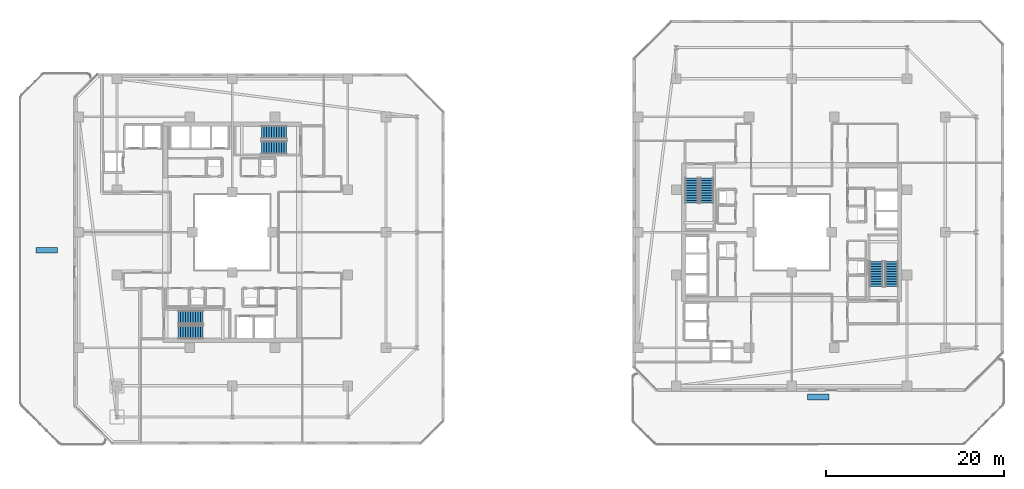
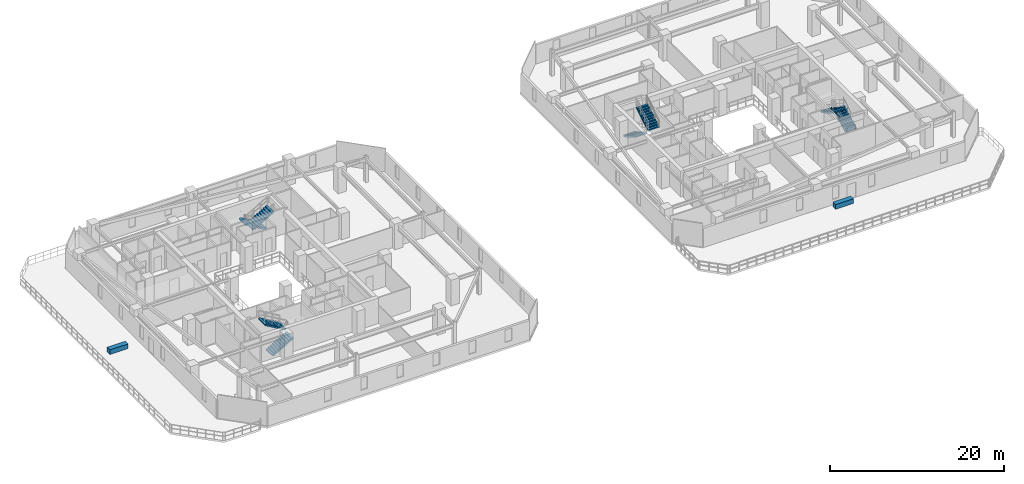
# One storey, part 25 of 30: 8 stair flights, 2 discrete accessories, 4 elements without a shape of their own.
"""IFC4 building model written with IfcOpenShell, lengths in metres."""

from ifc_helpers import new_model, si_unit, direction, frame, origin, origin_2d, place, context, subcontext, project, spatial, polyline, rectangle, outline, extrude, material, type_object, element, aggregate, save


model = new_model("IFC4")

# Units and contexts
model_context = context("Model", 3, precision=1e-05, world=origin(), true_north=direction((0.0, 1.0)))
body_context = subcontext(model_context, "Body", "Model", "MODEL_VIEW")
ifc_project = project(units=[si_unit("LENGTHUNIT", "METRE"), si_unit("AREAUNIT", "SQUARE_METRE"), si_unit("VOLUMEUNIT", "CUBIC_METRE"), si_unit("PLANEANGLEUNIT", "RADIAN"), si_unit("MASSUNIT", "GRAM", prefix="KILO")], contexts=[model_context])

# Site, building, storey
site_placement = place(None, origin())
site = spatial("IfcSite", under=ifc_project, at=site_placement, CompositionType="ELEMENT")
building_placement = place(site_placement, origin())
building = spatial("IfcBuilding", under=site, at=building_placement, Name="Thornwick Lancets Civic Towers", CompositionType="ELEMENT")
storey_placement = place(building_placement, frame((0.0, 0.0, 149.10009765625)))
storey = spatial("IfcBuildingStorey", under=building, at=storey_placement, Name="L39", CompositionType="ELEMENT", Elevation=149.10009765625)

# Stair, stair flights
ifc_material_1 = material(Name="Concrete C40/50", Category="concrete")
stair_type = type_object("IfcStairType", Name="STAIR_DL_3600", PredefinedType="HALF_TURN_STAIR", material=ifc_material_1)
stair_1_placement = place(storey_placement, origin())
stair_1 = element("IfcStair", 1, at=stair_1_placement, inside=storey, type_object=stair_type, Name="L39 Tower A South Exit Stair ST-A1", PredefinedType="HALF_TURN_STAIR")
stair_flight_type = type_object("IfcStairFlightType", Name="FLIGHT_3600", PredefinedType="STRAIGHT", material=ifc_material_1)
stair_flight_1_placement = place(storey_placement, frame((19.39990234375, 15.75, 0.0), z_axis=(0.0, 0.0, 1.0), x_axis=(1.0, 0.0, 0.0)))
stair_flight_1 = element("IfcStairFlight", 2, at=stair_flight_1_placement, type_object=stair_flight_type, Name="ST-A1 flight 1", NumberOfRisers=11, NumberOfTreads=10, PredefinedType="STRAIGHT", RiserHeight=0.163636364, TreadLength=0.28, context=body_context, shape_type="SweptSolid", body=[
    extrude(outline(polyline([(0.0, 0.0), (0.0, 0.16357421875), (0.280029296875, 0.16357421875), (0.280029296875, 0.327392578125), (0.56005859375, 0.327392578125), (0.56005859375, 0.490966796875), (0.840087890625, 0.490966796875), (0.840087890625, 0.654541015625), (1.1201171875, 0.654541015625), (1.1201171875, 0.818115234375), (1.39990234375, 0.818115234375), (1.39990234375, 0.98193359375), (1.679931640625, 0.98193359375), (1.679931640625, 1.1455078125), (1.9599609375, 1.1455078125), (1.9599609375, 1.30908203125), (2.239990234375, 1.30908203125), (2.239990234375, 1.47265625), (2.52001953125, 1.47265625), (2.52001953125, 1.636474609375), (2.800048828125, 1.636474609375), (2.800048828125, 1.800048828125), (2.800048828125, 1.462646484375), (0.297119140625, 0.0), (0.0, 0.0)])), frame((0.0, 0.75, 0.0), z_axis=(0.0, -1.0, 0.0), x_axis=(1.0, 0.0, 0.0)), (0.0, 0.0, 1.0), 1.5),
])
stair_flight_2_placement = place(storey_placement, frame((22.199951171875, 17.449951171875, 1.7998046875), z_axis=(0.0, 0.0, 1.0), x_axis=(-1.0, 0.0, 0.0)))
stair_flight_2 = element("IfcStairFlight", 3, at=stair_flight_2_placement, type_object=stair_flight_type, Name="ST-A1 flight 2", NumberOfRisers=11, NumberOfTreads=10, PredefinedType="STRAIGHT", RiserHeight=0.163636364, TreadLength=0.28, context=body_context, shape_type="SweptSolid", body=[
    extrude(outline(polyline([(0.0, 0.0), (0.0, 0.16357421875), (0.280029296875, 0.16357421875), (0.280029296875, 0.327392578125), (0.56005859375, 0.327392578125), (0.56005859375, 0.490966796875), (0.840087890625, 0.490966796875), (0.840087890625, 0.654541015625), (1.1201171875, 0.654541015625), (1.1201171875, 0.818115234375), (1.39990234375, 0.818115234375), (1.39990234375, 0.98193359375), (1.679931640625, 0.98193359375), (1.679931640625, 1.1455078125), (1.9599609375, 1.1455078125), (1.9599609375, 1.30908203125), (2.239990234375, 1.30908203125), (2.239990234375, 1.47265625), (2.52001953125, 1.47265625), (2.52001953125, 1.636474609375), (2.800048828125, 1.636474609375), (2.800048828125, 1.800048828125), (2.800048828125, 1.462646484375), (0.297119140625, 0.0), (0.0, 0.0)])), frame((0.0, 0.75, 0.0), z_axis=(0.0, -1.0, 0.0), x_axis=(1.0, 0.0, 0.0)), (0.0, 0.0, 1.0), 1.5),
])
aggregate(stair_1, [stair_flight_1, stair_flight_2])

stair_2_placement = place(storey_placement, origin())
stair_2 = element("IfcStair", 4, at=stair_2_placement, inside=storey, type_object=stair_type, Name="L39 Tower A North Exit Stair ST-A2", PredefinedType="HALF_TURN_STAIR")
stair_flight_3_placement = place(storey_placement, frame((31.60009765625, 38.25, 0.0), z_axis=(0.0, 0.0, 1.0), x_axis=(-1.0, 0.0, 0.0)))
stair_flight_3 = element("IfcStairFlight", 5, at=stair_flight_3_placement, type_object=stair_flight_type, Name="ST-A2 flight 1", NumberOfRisers=11, NumberOfTreads=10, PredefinedType="STRAIGHT", RiserHeight=0.163636364, TreadLength=0.28, context=body_context, shape_type="SweptSolid", body=[
    extrude(outline(polyline([(0.0, 0.0), (0.0, 0.16357421875), (0.280029296875, 0.16357421875), (0.280029296875, 0.327392578125), (0.56005859375, 0.327392578125), (0.56005859375, 0.490966796875), (0.840087890625, 0.490966796875), (0.840087890625, 0.654541015625), (1.1201171875, 0.654541015625), (1.1201171875, 0.818115234375), (1.39990234375, 0.818115234375), (1.39990234375, 0.98193359375), (1.679931640625, 0.98193359375), (1.679931640625, 1.1455078125), (1.9599609375, 1.1455078125), (1.9599609375, 1.30908203125), (2.239990234375, 1.30908203125), (2.239990234375, 1.47265625), (2.52001953125, 1.47265625), (2.52001953125, 1.636474609375), (2.800048828125, 1.636474609375), (2.800048828125, 1.800048828125), (2.800048828125, 1.462646484375), (0.297119140625, 0.0), (0.0, 0.0)])), frame((0.0, 0.75, 0.0), z_axis=(0.0, -1.0, 0.0), x_axis=(1.0, 0.0, 0.0)), (0.0, 0.0, 1.0), 1.5),
])
stair_flight_4_placement = place(storey_placement, frame((28.800048828125, 36.550048828125, 1.7998046875), z_axis=(0.0, 0.0, 1.0), x_axis=(1.0, 0.0, 0.0)))
stair_flight_4 = element("IfcStairFlight", 6, at=stair_flight_4_placement, type_object=stair_flight_type, Name="ST-A2 flight 2", NumberOfRisers=11, NumberOfTreads=10, PredefinedType="STRAIGHT", RiserHeight=0.163636364, TreadLength=0.28, context=body_context, shape_type="SweptSolid", body=[
    extrude(outline(polyline([(0.0, 0.0), (0.0, 0.16357421875), (0.280029296875, 0.16357421875), (0.280029296875, 0.327392578125), (0.56005859375, 0.327392578125), (0.56005859375, 0.490966796875), (0.840087890625, 0.490966796875), (0.840087890625, 0.654541015625), (1.1201171875, 0.654541015625), (1.1201171875, 0.818115234375), (1.39990234375, 0.818115234375), (1.39990234375, 0.98193359375), (1.679931640625, 0.98193359375), (1.679931640625, 1.1455078125), (1.9599609375, 1.1455078125), (1.9599609375, 1.30908203125), (2.239990234375, 1.30908203125), (2.239990234375, 1.47265625), (2.52001953125, 1.47265625), (2.52001953125, 1.636474609375), (2.800048828125, 1.636474609375), (2.800048828125, 1.800048828125), (2.800048828125, 1.462646484375), (0.297119140625, 0.0), (0.0, 0.0)])), frame((0.0, 0.75, 0.0), z_axis=(0.0, -1.0, 0.0), x_axis=(1.0, 0.0, 0.0)), (0.0, 0.0, 1.0), 1.5),
])
aggregate(stair_2, [stair_flight_3, stair_flight_4])

stair_3_placement = place(storey_placement, origin())
stair_3 = element("IfcStair", 7, at=stair_3_placement, inside=storey, type_object=stair_type, Name="L39 Tower B East Exit Stair ST-B1", PredefinedType="HALF_TURN_STAIR")
stair_flight_5_placement = place(storey_placement, frame((99.75, 20.89990234375, 0.0), z_axis=(0.0, 0.0, 1.0), x_axis=(0.0, 1.0, 0.0)))
stair_flight_5 = element("IfcStairFlight", 8, at=stair_flight_5_placement, type_object=stair_flight_type, Name="ST-B1 flight 1", NumberOfRisers=11, NumberOfTreads=10, PredefinedType="STRAIGHT", RiserHeight=0.163636364, TreadLength=0.28, context=body_context, shape_type="SweptSolid", body=[
    extrude(outline(polyline([(0.0, 0.0), (0.0, 0.16357421875), (0.280029296875, 0.16357421875), (0.280029296875, 0.327392578125), (0.56005859375, 0.327392578125), (0.56005859375, 0.490966796875), (0.840087890625, 0.490966796875), (0.840087890625, 0.654541015625), (1.1201171875, 0.654541015625), (1.1201171875, 0.818115234375), (1.39990234375, 0.818115234375), (1.39990234375, 0.98193359375), (1.679931640625, 0.98193359375), (1.679931640625, 1.1455078125), (1.9599609375, 1.1455078125), (1.9599609375, 1.30908203125), (2.239990234375, 1.30908203125), (2.239990234375, 1.47265625), (2.52001953125, 1.47265625), (2.52001953125, 1.636474609375), (2.800048828125, 1.636474609375), (2.800048828125, 1.800048828125), (2.800048828125, 1.462646484375), (0.297119140625, 0.0), (0.0, 0.0)])), frame((0.0, 0.75, 0.0), z_axis=(0.0, -1.0, 0.0), x_axis=(1.0, 0.0, 0.0)), (0.0, 0.0, 1.0), 1.5),
])
stair_flight_6_placement = place(storey_placement, frame((98.050048828125, 23.699951171875, 1.7998046875), z_axis=(0.0, 0.0, 1.0), x_axis=(0.0, -1.0, 0.0)))
stair_flight_6 = element("IfcStairFlight", 9, at=stair_flight_6_placement, type_object=stair_flight_type, Name="ST-B1 flight 2", NumberOfRisers=11, NumberOfTreads=10, PredefinedType="STRAIGHT", RiserHeight=0.163636364, TreadLength=0.28, context=body_context, shape_type="SweptSolid", body=[
    extrude(outline(polyline([(0.0, 0.0), (0.0, 0.16357421875), (0.280029296875, 0.16357421875), (0.280029296875, 0.327392578125), (0.56005859375, 0.327392578125), (0.56005859375, 0.490966796875), (0.840087890625, 0.490966796875), (0.840087890625, 0.654541015625), (1.1201171875, 0.654541015625), (1.1201171875, 0.818115234375), (1.39990234375, 0.818115234375), (1.39990234375, 0.98193359375), (1.679931640625, 0.98193359375), (1.679931640625, 1.1455078125), (1.9599609375, 1.1455078125), (1.9599609375, 1.30908203125), (2.239990234375, 1.30908203125), (2.239990234375, 1.47265625), (2.52001953125, 1.47265625), (2.52001953125, 1.636474609375), (2.800048828125, 1.636474609375), (2.800048828125, 1.800048828125), (2.800048828125, 1.462646484375), (0.297119140625, 0.0), (0.0, 0.0)])), frame((0.0, 0.75, 0.0), z_axis=(0.0, -1.0, 0.0), x_axis=(1.0, 0.0, 0.0)), (0.0, 0.0, 1.0), 1.5),
])
aggregate(stair_3, [stair_flight_5, stair_flight_6])

stair_4_placement = place(storey_placement, origin())
stair_4 = element("IfcStair", 10, at=stair_4_placement, inside=storey, type_object=stair_type, Name="L39 Tower B West Exit Stair ST-B2", PredefinedType="HALF_TURN_STAIR")
stair_flight_7_placement = place(storey_placement, frame((77.25, 33.10009765625, 0.0), z_axis=(0.0, 0.0, 1.0), x_axis=(0.0, -1.0, 0.0)))
stair_flight_7 = element("IfcStairFlight", 11, at=stair_flight_7_placement, type_object=stair_flight_type, Name="ST-B2 flight 1", NumberOfRisers=11, NumberOfTreads=10, PredefinedType="STRAIGHT", RiserHeight=0.163636364, TreadLength=0.28, context=body_context, shape_type="SweptSolid", body=[
    extrude(outline(polyline([(0.0, 0.0), (0.0, 0.16357421875), (0.280029296875, 0.16357421875), (0.280029296875, 0.327392578125), (0.56005859375, 0.327392578125), (0.56005859375, 0.490966796875), (0.840087890625, 0.490966796875), (0.840087890625, 0.654541015625), (1.1201171875, 0.654541015625), (1.1201171875, 0.818115234375), (1.39990234375, 0.818115234375), (1.39990234375, 0.98193359375), (1.679931640625, 0.98193359375), (1.679931640625, 1.1455078125), (1.9599609375, 1.1455078125), (1.9599609375, 1.30908203125), (2.239990234375, 1.30908203125), (2.239990234375, 1.47265625), (2.52001953125, 1.47265625), (2.52001953125, 1.636474609375), (2.800048828125, 1.636474609375), (2.800048828125, 1.800048828125), (2.800048828125, 1.462646484375), (0.297119140625, 0.0), (0.0, 0.0)])), frame((0.0, 0.75, 0.0), z_axis=(0.0, -1.0, 0.0), x_axis=(1.0, 0.0, 0.0)), (0.0, 0.0, 1.0), 1.5),
])
stair_flight_8_placement = place(storey_placement, frame((78.949951171875, 30.300048828125, 1.7998046875), z_axis=(0.0, 0.0, 1.0), x_axis=(0.0, 1.0, 0.0)))
stair_flight_8 = element("IfcStairFlight", 12, at=stair_flight_8_placement, type_object=stair_flight_type, Name="ST-B2 flight 2", NumberOfRisers=11, NumberOfTreads=10, PredefinedType="STRAIGHT", RiserHeight=0.163636364, TreadLength=0.28, context=body_context, shape_type="SweptSolid", body=[
    extrude(outline(polyline([(0.0, 0.0), (0.0, 0.16357421875), (0.280029296875, 0.16357421875), (0.280029296875, 0.327392578125), (0.56005859375, 0.327392578125), (0.56005859375, 0.490966796875), (0.840087890625, 0.490966796875), (0.840087890625, 0.654541015625), (1.1201171875, 0.654541015625), (1.1201171875, 0.818115234375), (1.39990234375, 0.818115234375), (1.39990234375, 0.98193359375), (1.679931640625, 0.98193359375), (1.679931640625, 1.1455078125), (1.9599609375, 1.1455078125), (1.9599609375, 1.30908203125), (2.239990234375, 1.30908203125), (2.239990234375, 1.47265625), (2.52001953125, 1.47265625), (2.52001953125, 1.636474609375), (2.800048828125, 1.636474609375), (2.800048828125, 1.800048828125), (2.800048828125, 1.462646484375), (0.297119140625, 0.0), (0.0, 0.0)])), frame((0.0, 0.75, 0.0), z_axis=(0.0, -1.0, 0.0), x_axis=(1.0, 0.0, 0.0)), (0.0, 0.0, 1.0), 1.5),
])
aggregate(stair_4, [stair_flight_7, stair_flight_8])

# Discrete accessories
ifc_material_2 = material(Name="Planted terracotta greenery planter", Category="masonry")
discrete_accessory_type = type_object("IfcDiscreteAccessoryType", Name="ACC_PLANTER_BOX", PredefinedType="USERDEFINED", material=ifc_material_2)
for number, where, z_axis, x_axis, name in (
    (13, (4.590087890625, 24.968994140625, 0.0), (0.0, 0.0, 1.0), (1.0, 0.0, 0.0), "L39 Tower A Sky-Garden Planter 1"),
    (14, (91.5, 8.4521484375, 0.0), (0.0, 0.0, 1.0), (1.0, 0.0, 0.0), "L39 Tower B Sky-Garden Planter 1"),
):
    element("IfcDiscreteAccessory", number, at=place(storey_placement, frame(where, z_axis=z_axis, x_axis=x_axis)), inside=storey, type_object=discrete_accessory_type, Name=name, ObjectType="PLANTER", PredefinedType="USERDEFINED", context=body_context, shape_type="SweptSolid", body=[
        extrude(rectangle(XDim=2.39990234375, YDim=0.64990234375, at=origin_2d()), origin(), (0.0, 0.0, 1.0), 0.64990234375),
    ])

save(model, "model.ifc")
